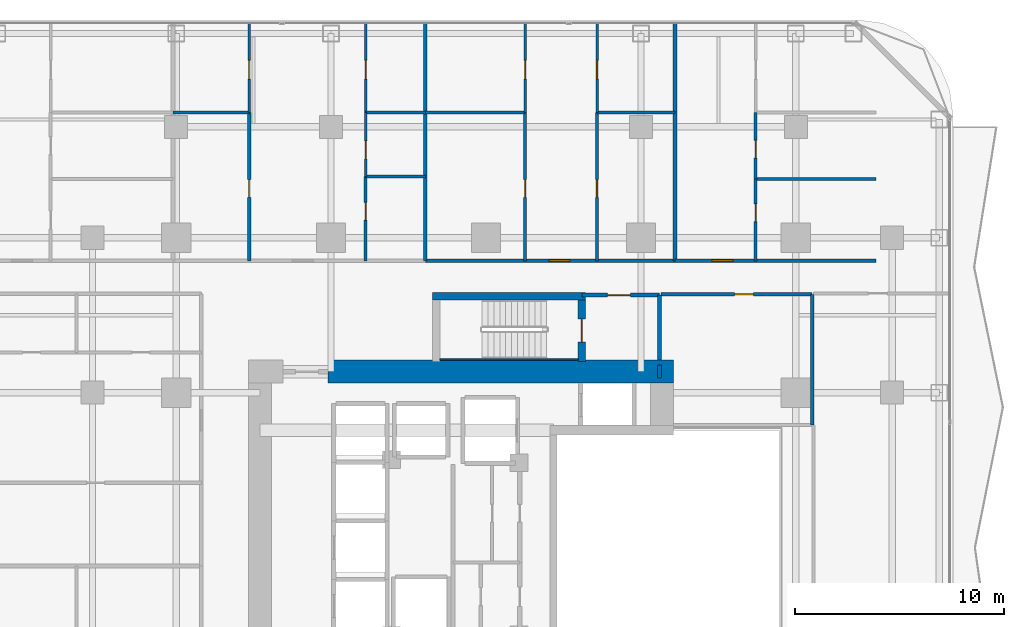
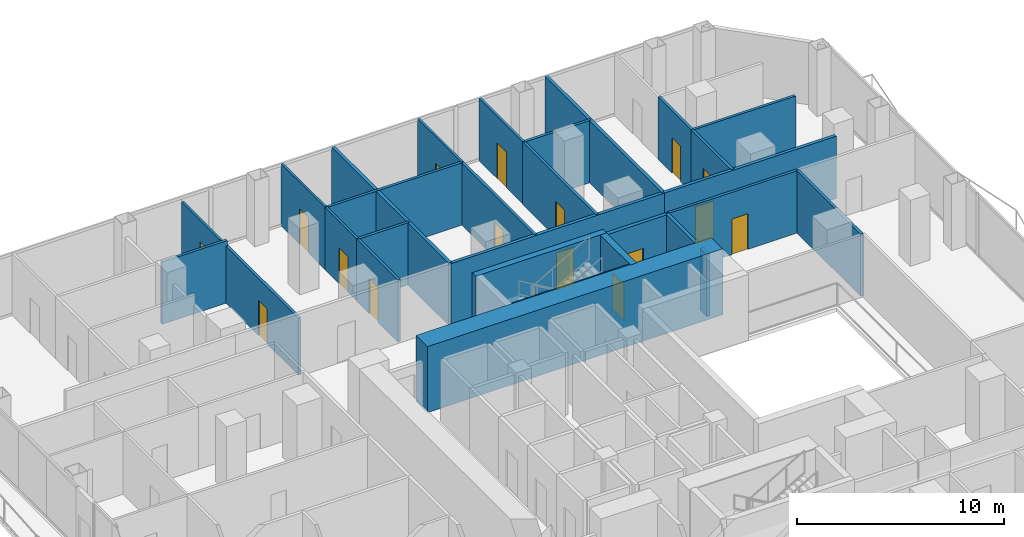
# One storey, part 23 of 29: 30 walls, 16 doors, 16 openings.
"""IFC4 building model written with IfcOpenShell, lengths in metres."""

from ifc_helpers import new_model, si_unit, direction, frame, frame_2d, origin, place, context, subcontext, project, spatial, rectangle, extrude, material, layer, layer_set, type_object, element, fill, save


model = new_model("IFC4")

# Units and contexts
model_context = context("Model", 3, precision=1e-05, world=origin(), true_north=direction((0.0, 1.0)))
body_context = subcontext(model_context, "Body", "Model", "MODEL_VIEW")
ifc_project = project(units=[si_unit("LENGTHUNIT", "METRE"), si_unit("AREAUNIT", "SQUARE_METRE"), si_unit("VOLUMEUNIT", "CUBIC_METRE"), si_unit("PLANEANGLEUNIT", "RADIAN"), si_unit("MASSUNIT", "GRAM", prefix="KILO")], contexts=[model_context])

# Site, building, storey
site_placement = place(None, origin())
site = spatial("IfcSite", under=ifc_project, at=site_placement, CompositionType="ELEMENT")
building_placement = place(site_placement, origin())
building = spatial("IfcBuilding", under=site, at=building_placement, Name="Khorvyn Point Tower", CompositionType="ELEMENT")
storey_placement = place(building_placement, frame((0.0, 0.0, 69.60009765625)))
storey = spatial("IfcBuildingStorey", under=building, at=storey_placement, Name="L18", CompositionType="ELEMENT", Elevation=69.60009765625)

# Wall, opening, door
ifc_material_1 = material(Name="Double acoustic gypsum on twin steel stud", Category="steel")
ifc_layer_1 = layer(ifc_material_1, 0.179931640625)
ifc_layer_set_1 = layer_set([ifc_layer_1], Name="Acoustic Double-Stud Apartment Demising Wall 180")
wall_type_1 = type_object("IfcWallType", Name="Acoustic Double-Stud Apartment Demising Wall 180", PredefinedType="PARTITIONING", material=ifc_layer_set_1)
wall_1_placement = place(storey_placement, frame((-2.89990234375, 13.699951171875, 0.0), z_axis=(0.0, 0.0, 1.0), x_axis=(1.0, 0.0, 0.0)))
wall_1 = element("IfcWall", 1, at=wall_1_placement, inside=storey, type_object=wall_type_1, Name="Wall", PredefinedType="PARTITIONING", context=body_context, shape_type="SweptSolid", body=[
    extrude(rectangle(XDim=11.921875, YDim=0.179931640625, at=frame_2d((5.9609375, 0.0))), origin(), (0.0, 0.0, 1.0), 3.679931640625),
])
opening_1_placement = place(wall_1_placement, frame((5.91015625, 0.0, 0.0)))
opening_1 = element("IfcOpeningElement", 2, at=opening_1_placement, cuts=wall_1, Name="Opening ID-AP60", PredefinedType="OPENING", context=body_context, shape_type="SweptSolid", body=[
    extrude(rectangle(XDim=1.0, YDim=2.199951171875, at=frame_2d((0.5, 1.10009765625))), frame((0.0, 0.099853515625, 0.0), z_axis=(0.0, -1.0, 0.0), x_axis=(1.0, 0.0, 0.0)), (0.0, 0.0, 1.0), 0.199951171875),
])
ifc_material_2 = material(Name="Engineered hardwood fire-rated leaf", Category="wood")
door_type_1 = type_object("IfcDoorType", Name="Acoustic Solid-Core Timber Apartment Entrance Door 1000x2200", OperationType="NOTDEFINED", PredefinedType="DOOR", material=ifc_material_2)
door_1_placement = place(opening_1_placement, origin())
door_1 = element("IfcDoor", 3, at=door_1_placement, inside=storey, type_object=door_type_1, Name="Door", OperationType="SINGLE_SWING_RIGHT", OverallHeight=2.199951171875, OverallWidth=1.0, PredefinedType="DOOR", context=body_context, shape_type="SweptSolid", body=[
    extrude(rectangle(XDim=1.0, YDim=2.199951171875, at=frame_2d((0.5, 1.10009765625))), frame((0.0, 0.02490234375, 0.0), z_axis=(0.0, -1.0, 0.0), x_axis=(1.0, 0.0, 0.0)), (0.0, 0.0, 1.0), 0.050048828125),
])
fill(opening_1, door_1)

wall_2_placement = place(storey_placement, frame((9.02197265625, 13.699951171875, 0.0), z_axis=(0.0, 0.0, 1.0), x_axis=(1.0, 0.0, 0.0)))
wall_2 = element("IfcWall", 4, at=wall_2_placement, inside=storey, type_object=wall_type_1, Name="Wall", PredefinedType="PARTITIONING", context=body_context, shape_type="SweptSolid", body=[
    extrude(rectangle(XDim=9.59814453125, YDim=0.179931640625, at=frame_2d((4.799072265625, 0.0))), origin(), (0.0, 0.0, 1.0), 3.679931640625),
])
opening_2_placement = place(wall_2_placement, frame((1.779541015625, 0.0, 0.0)))
opening_2 = element("IfcOpeningElement", 5, at=opening_2_placement, cuts=wall_2, Name="Opening ID-AP60", PredefinedType="OPENING", context=body_context, shape_type="SweptSolid", body=[
    extrude(rectangle(XDim=1.0, YDim=2.199951171875, at=frame_2d((0.5, 1.10009765625))), frame((0.0, 0.099853515625, 0.0), z_axis=(0.0, -1.0, 0.0), x_axis=(1.0, 0.0, 0.0)), (0.0, 0.0, 1.0), 0.199951171875),
])
door_2_placement = place(opening_2_placement, origin())
door_2 = element("IfcDoor", 6, at=door_2_placement, inside=storey, type_object=door_type_1, Name="Door", OperationType="SINGLE_SWING_LEFT", OverallHeight=2.199951171875, OverallWidth=1.0, PredefinedType="DOOR", context=body_context, shape_type="SweptSolid", body=[
    extrude(rectangle(XDim=1.0, YDim=2.199951171875, at=frame_2d((0.5, 1.10009765625))), frame((0.0, 0.02490234375, 0.0), z_axis=(0.0, -1.0, 0.0), x_axis=(1.0, 0.0, 0.0)), (0.0, 0.0, 1.0), 0.050048828125),
])
fill(opening_2, door_2)

# Walls
for number, where, z_axis, x_axis, name in (
    (7, (-2.89990234375, 13.699951171875, 0.0), (0.0, 0.0, 1.0), (0.0, 1.0, 0.0), "Wall"),
    (8, (9.02197265625, 13.699951171875, 0.0), (0.0, 0.0, 1.0), (0.0, 1.0, 0.0), "Wall"),
):
    element("IfcWall", number, at=place(storey_placement, frame(where, z_axis=z_axis, x_axis=x_axis)), inside=storey, type_object=wall_type_1, Name=name, PredefinedType="PARTITIONING", context=body_context, shape_type="SweptSolid", body=[
        extrude(rectangle(XDim=11.330078125, YDim=0.179931640625, at=frame_2d((5.6650390625, 0.0))), origin(), (0.0, 0.0, 1.0), 3.679931640625),
    ])

# Wall, opening, door
ifc_material_3 = material(Name="Concrete C40/50", Category="concrete")
ifc_layer_2 = layer(ifc_material_3, 0.199951171875)
ifc_layer_set_2 = layer_set([ifc_layer_2], Name="Concrete C40/50 Fire-Lobby Compartment Wall 200")
wall_type_2 = type_object("IfcWallType", Name="Concrete C40/50 Fire-Lobby Compartment Wall 200", PredefinedType="SOLIDWALL", material=ifc_layer_set_2)
wall_3_placement = place(storey_placement, frame((4.580078125, 12.06005859375, 0.0), z_axis=(0.0, 0.0, 1.0), x_axis=(1.0, 0.0, 0.0)))
wall_3 = element("IfcWall", 9, at=wall_3_placement, inside=storey, type_object=wall_type_2, Name="Wall", PredefinedType="SOLIDWALL", context=body_context, shape_type="SweptSolid", body=[
    extrude(rectangle(XDim=3.699951171875, YDim=0.199951171875, at=frame_2d((1.85009765625, 0.0))), origin(), (0.0, 0.0, 1.0), 3.679931640625),
])
opening_3_placement = place(wall_3_placement, frame((1.21240234375, 0.0, 0.0)))
opening_3 = element("IfcOpeningElement", 10, at=opening_3_placement, cuts=wall_3, Name="Opening ID-FL90", PredefinedType="OPENING", context=body_context, shape_type="SweptSolid", body=[
    extrude(rectangle(XDim=1.10009765625, YDim=2.14990234375, at=frame_2d((0.550048828125, 1.074951171875))), frame((0.0, 0.10986328125, 0.0), z_axis=(0.0, -1.0, 0.0), x_axis=(1.0, 0.0, 0.0)), (0.0, 0.0, 1.0), 0.219970703125),
])
ifc_material_4 = material(Name="Galvanised powder-coated steel", Category="steel")
door_type_2 = type_object("IfcDoorType", Name="Fire-Rated Steel Lobby and Stair Door 1100x2150", OperationType="NOTDEFINED", PredefinedType="DOOR", material=ifc_material_4)
door_3_placement = place(opening_3_placement, origin())
door_3 = element("IfcDoor", 11, at=door_3_placement, inside=storey, type_object=door_type_2, Name="Door", OperationType="SINGLE_SWING_LEFT", OverallHeight=2.14990234375, OverallWidth=1.10009765625, PredefinedType="DOOR", context=body_context, shape_type="SweptSolid", body=[
    extrude(rectangle(XDim=1.10009765625, YDim=2.14990234375, at=frame_2d((0.550048828125, 1.074951171875))), frame((0.0, 0.02490234375, 0.0), z_axis=(0.0, -1.0, 0.0), x_axis=(1.0, 0.0, 0.0)), (0.0, 0.0, 1.0), 0.050048828125),
])
fill(opening_3, door_3)

# Walls
wall_4_placement = place(storey_placement, frame((8.280029296875, 8.949951171875, 0.0), z_axis=(0.0, 0.0, 1.0), x_axis=(0.0, 1.0, 0.0)))
element("IfcWall", 12, at=wall_4_placement, inside=storey, type_object=wall_type_2, Name="Wall", PredefinedType="SOLIDWALL", context=body_context, shape_type="SweptSolid", body=[
    extrude(rectangle(XDim=3.110107421875, YDim=0.199951171875, at=frame_2d((1.55517578125, 0.0))), origin(), (0.0, 0.0, 1.0), 3.679931640625),
])
wall_5_placement = place(storey_placement, frame((8.280029296875, 8.10009765625, 0.0), z_axis=(0.0, 0.0, 1.0), x_axis=(0.0, 1.0, 0.0)))
element("IfcWall", 13, at=wall_5_placement, inside=storey, type_object=wall_type_2, Name="Wall", PredefinedType="SOLIDWALL", context=body_context, shape_type="SweptSolid", body=[
    extrude(rectangle(XDim=0.625, YDim=0.199951171875, at=frame_2d((0.3125, 0.0))), origin(), (0.0, 0.0, 1.0), 3.679931640625),
])
ifc_layer_3 = layer(ifc_material_3, 0.25)
ifc_layer_set_3 = layer_set([ifc_layer_3], Name="Concrete C40/50 Stair Inner Cheek Structural Wall 250")
wall_type_3 = type_object("IfcWallType", Name="Concrete C40/50 Stair Inner Cheek Structural Wall 250", PredefinedType="SHEAR", material=ifc_layer_set_3)
wall_6_placement = place(storey_placement, frame((-2.199951171875, 8.987548828125, 0.0), z_axis=(0.0, 0.0, 1.0), x_axis=(1.0, 0.0, 0.0)))
element("IfcWall", 14, at=wall_6_placement, inside=storey, type_object=wall_type_3, Name="Wall", PredefinedType="SHEAR", context=body_context, shape_type="SweptSolid", body=[
    extrude(rectangle(XDim=6.599853515625, YDim=0.074951171875, at=frame_2d((3.2998046875, 0.0))), origin(), (0.0, 0.0, 1.0), 3.89990234375),
])
ifc_layer_4 = layer(ifc_material_3, 0.35009765625)
ifc_layer_set_4 = layer_set([ifc_layer_4], Name="Concrete C40/50 Stair Shaft Structural Wall 350")
wall_type_4 = type_object("IfcWallType", Name="Concrete C40/50 Stair Shaft Structural Wall 350", PredefinedType="SHEAR", material=ifc_layer_set_4)
wall_7_placement = place(storey_placement, frame((-2.554931640625, 12.0, 0.0), z_axis=(0.0, 0.0, 1.0), x_axis=(1.0, 0.0, 0.0)))
element("IfcWall", 15, at=wall_7_placement, inside=storey, type_object=wall_type_4, Name="L18 ST-02 North Shaft Wall", PredefinedType="SHEAR", context=body_context, shape_type="SweptSolid", body=[
    extrude(rectangle(XDim=7.309814453125, YDim=0.35009765625, at=frame_2d((3.65478515625, 0.0))), origin(), (0.0, 0.0, 1.0), 3.89990234375),
])

# Wall, opening, door
wall_8_placement = place(storey_placement, frame((4.580078125, 11.824951171875, 0.0), z_axis=(0.0, 0.0, 1.0), x_axis=(0.0, -1.0, 0.0)))
wall_8 = element("IfcWall", 16, at=wall_8_placement, inside=storey, type_object=wall_type_4, Name="L18 ST-02 East Landing Door Wall", PredefinedType="SHEAR", context=body_context, shape_type="SweptSolid", body=[
    extrude(rectangle(XDim=2.925048828125, YDim=0.35009765625, at=frame_2d((1.46240234375, 0.0))), origin(), (0.0, 0.0, 1.0), 3.89990234375),
])
opening_4_placement = place(wall_8_placement, frame((0.91259765625, 0.0, 0.0)))
opening_4 = element("IfcOpeningElement", 17, at=opening_4_placement, cuts=wall_8, Name="Opening ID-FL90", PredefinedType="OPENING", context=body_context, shape_type="SweptSolid", body=[
    extrude(rectangle(XDim=1.10009765625, YDim=2.14990234375, at=frame_2d((0.550048828125, 1.074951171875))), frame((0.0, 0.18505859375, 0.0), z_axis=(0.0, -1.0, 0.0), x_axis=(1.0, 0.0, 0.0)), (0.0, 0.0, 1.0), 0.3701171875),
])
door_4_placement = place(opening_4_placement, origin())
door_4 = element("IfcDoor", 18, at=door_4_placement, inside=storey, type_object=door_type_2, Name="L18 ST-02 Smokeproof Landing Door", OperationType="SINGLE_SWING_LEFT", OverallHeight=2.14990234375, OverallWidth=1.10009765625, PredefinedType="DOOR", context=body_context, shape_type="SweptSolid", body=[
    extrude(rectangle(XDim=1.10009765625, YDim=2.14990234375, at=frame_2d((0.550048828125, 1.074951171875))), frame((0.0, 0.02490234375, 0.0), z_axis=(0.0, -1.0, 0.0), x_axis=(1.0, 0.0, 0.0)), (0.0, 0.0, 1.0), 0.050048828125),
])
fill(opening_4, door_4)

# Wall
ifc_material_5 = material(Name="Concrete C50/60", Category="concrete")
ifc_layer_5 = layer(ifc_material_5, 1.10009765625)
ifc_layer_set_5 = layer_set([ifc_layer_5], Name="Concrete C50/60 Core Shear Wall 1100")
wall_type_5 = type_object("IfcWallType", Name="Concrete C50/60 Core Shear Wall 1100", PredefinedType="SHEAR", material=ifc_layer_set_5)
wall_9_placement = place(storey_placement, frame((-7.550048828125, 8.39990234375, 0.0), z_axis=(0.0, 0.0, 1.0), x_axis=(1.0, 0.0, 0.0)))
element("IfcWall", 19, at=wall_9_placement, inside=storey, type_object=wall_type_5, Name="Wall", PredefinedType="SHEAR", context=body_context, shape_type="SweptSolid", body=[
    extrude(rectangle(XDim=16.5, YDim=1.10009765625, at=frame_2d((8.25, 0.0))), origin(), (0.0, 0.0, 1.0), 3.89990234375),
])

# Wall, opening, door
ifc_material_6 = material(Name="Gypsum plasterboard on steel stud", Category="steel")
ifc_layer_6 = layer(ifc_material_6, 0.1201171875)
ifc_layer_set_6 = layer_set([ifc_layer_6], Name="Gypsum Acoustic Stud Room Partition Wall 120")
wall_type_6 = type_object("IfcWallType", Name="Gypsum Acoustic Stud Room Partition Wall 120", PredefinedType="PARTITIONING", material=ifc_layer_set_6)
wall_10_placement = place(storey_placement, frame((-11.30810546875, 20.7900390625, 0.0), z_axis=(0.0, 0.0, 1.0), x_axis=(0.0, 1.0, 0.0)))
wall_10 = element("IfcWall", 20, at=wall_10_placement, inside=storey, type_object=wall_type_6, Name="Wall", PredefinedType="PARTITIONING", context=body_context, shape_type="SweptSolid", body=[
    extrude(rectangle(XDim=4.239990234375, YDim=0.1201171875, at=frame_2d((2.1201171875, 0.0))), origin(), (0.0, 0.0, 1.0), 3.369873046875),
])
opening_5_placement = place(wall_10_placement, frame((1.581298828125, 0.0, 0.0)))
opening_5 = element("IfcOpeningElement", 21, at=opening_5_placement, cuts=wall_10, Name="Opening ID-RM90", PredefinedType="OPENING", context=body_context, shape_type="SweptSolid", body=[
    extrude(rectangle(XDim=0.89990234375, YDim=2.10009765625, at=frame_2d((0.449951171875, 1.050048828125))), frame((0.0, 0.070068359375, 0.0), z_axis=(0.0, -1.0, 0.0), x_axis=(1.0, 0.0, 0.0)), (0.0, 0.0, 1.0), 0.14013671875),
])
ifc_material_7 = material(Name="Engineered oak veneer timber", Category="wood")
door_type_3 = type_object("IfcDoorType", Name="Flush Engineered Timber Room Door 900x2100", OperationType="NOTDEFINED", PredefinedType="DOOR", material=ifc_material_7)
door_5_placement = place(opening_5_placement, origin())
door_5 = element("IfcDoor", 22, at=door_5_placement, inside=storey, type_object=door_type_3, Name="Door", OperationType="SINGLE_SWING_RIGHT", OverallHeight=2.10009765625, OverallWidth=0.89990234375, PredefinedType="DOOR", context=body_context, shape_type="SweptSolid", body=[
    extrude(rectangle(XDim=0.89990234375, YDim=2.10009765625, at=frame_2d((0.449951171875, 1.050048828125))), frame((0.0, 0.02490234375, 0.0), z_axis=(0.0, -1.0, 0.0), x_axis=(1.0, 0.0, 0.0)), (0.0, 0.0, 1.0), 0.050048828125),
])
fill(opening_5, door_5)

wall_11_placement = place(storey_placement, frame((-5.75, 17.719970703125, 0.0), z_axis=(0.0, 0.0, 1.0), x_axis=(0.0, 1.0, 0.0)))
wall_11 = element("IfcWall", 23, at=wall_11_placement, inside=storey, type_object=wall_type_6, Name="Wall", PredefinedType="PARTITIONING", context=body_context, shape_type="SweptSolid", body=[
    extrude(rectangle(XDim=3.070068359375, YDim=0.1201171875, at=frame_2d((1.53515625, 0.0))), origin(), (0.0, 0.0, 1.0), 3.679931640625),
])
opening_6_placement = place(wall_11_placement, frame((0.850830078125, 0.0, 0.0)))
opening_6 = element("IfcOpeningElement", 24, at=opening_6_placement, cuts=wall_11, Name="Opening ID-WC85", PredefinedType="OPENING", context=body_context, shape_type="SweptSolid", body=[
    extrude(rectangle(XDim=0.85009765625, YDim=2.10009765625, at=frame_2d((0.425048828125, 1.050048828125))), frame((0.0, 0.070068359375, 0.0), z_axis=(0.0, -1.0, 0.0), x_axis=(1.0, 0.0, 0.0)), (0.0, 0.0, 1.0), 0.14013671875),
])
ifc_material_8 = material(Name="High-pressure laminate on moisture-resistant core", Category="wood")
door_type_4 = type_object("IfcDoorType", Name="Moisture-Resistant Accessible Washroom Door 850x2100", OperationType="NOTDEFINED", PredefinedType="DOOR", material=ifc_material_8)
door_6_placement = place(opening_6_placement, origin())
door_6 = element("IfcDoor", 25, at=door_6_placement, inside=storey, type_object=door_type_4, Name="Door", OperationType="SINGLE_SWING_RIGHT", OverallHeight=2.10009765625, OverallWidth=0.85009765625, PredefinedType="DOOR", context=body_context, shape_type="SweptSolid", body=[
    extrude(rectangle(XDim=0.85009765625, YDim=2.10009765625, at=frame_2d((0.425048828125, 1.050048828125))), frame((0.0, 0.02490234375, 0.0), z_axis=(0.0, -1.0, 0.0), x_axis=(1.0, 0.0, 0.0)), (0.0, 0.0, 1.0), 0.050048828125),
])
fill(opening_6, door_6)

wall_12_placement = place(storey_placement, frame((-5.75, 20.7900390625, 0.0), z_axis=(0.0, 0.0, 1.0), x_axis=(0.0, 1.0, 0.0)))
wall_12 = element("IfcWall", 26, at=wall_12_placement, inside=storey, type_object=wall_type_6, Name="Wall", PredefinedType="PARTITIONING", context=body_context, shape_type="SweptSolid", body=[
    extrude(rectangle(XDim=4.239990234375, YDim=0.1201171875, at=frame_2d((2.1201171875, 0.0))), origin(), (0.0, 0.0, 1.0), 3.679931640625),
])
opening_7_placement = place(wall_12_placement, frame((1.581298828125, 0.0, 0.0)))
opening_7 = element("IfcOpeningElement", 27, at=opening_7_placement, cuts=wall_12, Name="Opening ID-RM90", PredefinedType="OPENING", context=body_context, shape_type="SweptSolid", body=[
    extrude(rectangle(XDim=0.89990234375, YDim=2.10009765625, at=frame_2d((0.449951171875, 1.050048828125))), frame((0.0, 0.070068359375, 0.0), z_axis=(0.0, -1.0, 0.0), x_axis=(1.0, 0.0, 0.0)), (0.0, 0.0, 1.0), 0.14013671875),
])
door_7_placement = place(opening_7_placement, origin())
door_7 = element("IfcDoor", 28, at=door_7_placement, inside=storey, type_object=door_type_3, Name="Door", OperationType="SINGLE_SWING_LEFT", OverallHeight=2.10009765625, OverallWidth=0.89990234375, PredefinedType="DOOR", context=body_context, shape_type="SweptSolid", body=[
    extrude(rectangle(XDim=0.89990234375, YDim=2.10009765625, at=frame_2d((0.449951171875, 1.050048828125))), frame((0.0, 0.02490234375, 0.0), z_axis=(0.0, -1.0, 0.0), x_axis=(1.0, 0.0, 0.0)), (0.0, 0.0, 1.0), 0.050048828125),
])
fill(opening_7, door_7)

wall_13_placement = place(storey_placement, frame((1.868896484375, 20.7900390625, 0.0), z_axis=(0.0, 0.0, 1.0), x_axis=(0.0, 1.0, 0.0)))
wall_13 = element("IfcWall", 29, at=wall_13_placement, inside=storey, type_object=wall_type_6, Name="Wall", PredefinedType="PARTITIONING", context=body_context, shape_type="SweptSolid", body=[
    extrude(rectangle(XDim=4.239990234375, YDim=0.1201171875, at=frame_2d((2.1201171875, 0.0))), origin(), (0.0, 0.0, 1.0), 3.679931640625),
])
opening_8_placement = place(wall_13_placement, frame((1.581298828125, 0.0, 0.0)))
opening_8 = element("IfcOpeningElement", 30, at=opening_8_placement, cuts=wall_13, Name="Opening ID-RM90", PredefinedType="OPENING", context=body_context, shape_type="SweptSolid", body=[
    extrude(rectangle(XDim=0.89990234375, YDim=2.10009765625, at=frame_2d((0.449951171875, 1.050048828125))), frame((0.0, 0.070068359375, 0.0), z_axis=(0.0, -1.0, 0.0), x_axis=(1.0, 0.0, 0.0)), (0.0, 0.0, 1.0), 0.14013671875),
])
door_8_placement = place(opening_8_placement, origin())
door_8 = element("IfcDoor", 31, at=door_8_placement, inside=storey, type_object=door_type_3, Name="Door", OperationType="SINGLE_SWING_RIGHT", OverallHeight=2.10009765625, OverallWidth=0.89990234375, PredefinedType="DOOR", context=body_context, shape_type="SweptSolid", body=[
    extrude(rectangle(XDim=0.89990234375, YDim=2.10009765625, at=frame_2d((0.449951171875, 1.050048828125))), frame((0.0, 0.02490234375, 0.0), z_axis=(0.0, -1.0, 0.0), x_axis=(1.0, 0.0, 0.0)), (0.0, 0.0, 1.0), 0.050048828125),
])
fill(opening_8, door_8)

wall_14_placement = place(storey_placement, frame((5.302001953125, 20.7900390625, 0.0), z_axis=(0.0, 0.0, 1.0), x_axis=(0.0, 1.0, 0.0)))
wall_14 = element("IfcWall", 32, at=wall_14_placement, inside=storey, type_object=wall_type_6, Name="Wall", PredefinedType="PARTITIONING", context=body_context, shape_type="SweptSolid", body=[
    extrude(rectangle(XDim=4.239990234375, YDim=0.1201171875, at=frame_2d((2.1201171875, 0.0))), origin(), (0.0, 0.0, 1.0), 3.679931640625),
])
opening_9_placement = place(wall_14_placement, frame((1.581298828125, 0.0, 0.0)))
opening_9 = element("IfcOpeningElement", 33, at=opening_9_placement, cuts=wall_14, Name="Opening ID-RM90", PredefinedType="OPENING", context=body_context, shape_type="SweptSolid", body=[
    extrude(rectangle(XDim=0.89990234375, YDim=2.10009765625, at=frame_2d((0.449951171875, 1.050048828125))), frame((0.0, 0.070068359375, 0.0), z_axis=(0.0, -1.0, 0.0), x_axis=(1.0, 0.0, 0.0)), (0.0, 0.0, 1.0), 0.14013671875),
])
door_9_placement = place(opening_9_placement, origin())
door_9 = element("IfcDoor", 34, at=door_9_placement, inside=storey, type_object=door_type_3, Name="Door", OperationType="SINGLE_SWING_RIGHT", OverallHeight=2.10009765625, OverallWidth=0.89990234375, PredefinedType="DOOR", context=body_context, shape_type="SweptSolid", body=[
    extrude(rectangle(XDim=0.89990234375, YDim=2.10009765625, at=frame_2d((0.449951171875, 1.050048828125))), frame((0.0, 0.02490234375, 0.0), z_axis=(0.0, -1.0, 0.0), x_axis=(1.0, 0.0, 0.0)), (0.0, 0.0, 1.0), 0.050048828125),
])
fill(opening_9, door_9)

ifc_material_9 = material(Name="Moisture-resistant gypsum and cement board", Category="gypsum")
ifc_layer_7 = layer(ifc_material_9, 0.14990234375)
ifc_layer_set_7 = layer_set([ifc_layer_7], Name="Moisture-Resistant Wet-Room Partition Wall 150")
wall_type_7 = type_object("IfcWallType", Name="Moisture-Resistant Wet-Room Partition Wall 150", PredefinedType="PARTITIONING", material=ifc_layer_set_7)
wall_15_placement = place(storey_placement, frame((8.360107421875, 12.10009765625, 0.0), z_axis=(0.0, 0.0, 1.0), x_axis=(1.0, 0.0, 0.0)))
wall_15 = element("IfcWall", 35, at=wall_15_placement, inside=storey, type_object=wall_type_7, Name="Wall", PredefinedType="PARTITIONING", context=body_context, shape_type="SweptSolid", body=[
    extrude(rectangle(XDim=7.219970703125, YDim=0.14990234375, at=frame_2d((3.60986328125, 0.0))), origin(), (0.0, 0.0, 1.0), 3.679931640625),
])
opening_10_placement = place(wall_15_placement, frame((3.512939453125, 0.0, 0.0)))
opening_10 = element("IfcOpeningElement", 36, at=opening_10_placement, cuts=wall_15, Name="Opening ID-RM90", PredefinedType="OPENING", context=body_context, shape_type="SweptSolid", body=[
    extrude(rectangle(XDim=0.89990234375, YDim=2.10009765625, at=frame_2d((0.449951171875, 1.050048828125))), frame((0.0, 0.0849609375, 0.0), z_axis=(0.0, -1.0, 0.0), x_axis=(1.0, 0.0, 0.0)), (0.0, 0.0, 1.0), 0.169921875),
])
door_10_placement = place(opening_10_placement, origin())
door_10 = element("IfcDoor", 37, at=door_10_placement, inside=storey, type_object=door_type_3, Name="Door", OperationType="SINGLE_SWING_LEFT", OverallHeight=2.10009765625, OverallWidth=0.89990234375, PredefinedType="DOOR", context=body_context, shape_type="SweptSolid", body=[
    extrude(rectangle(XDim=0.89990234375, YDim=2.10009765625, at=frame_2d((0.449951171875, 1.050048828125))), frame((0.0, 0.02490234375, 0.0), z_axis=(0.0, -1.0, 0.0), x_axis=(1.0, 0.0, 0.0)), (0.0, 0.0, 1.0), 0.050048828125),
])
fill(opening_10, door_10)

wall_16_placement = place(storey_placement, frame((-11.30810546875, 13.699951171875, 0.0), z_axis=(0.0, 0.0, 1.0), x_axis=(0.0, 1.0, 0.0)))
wall_16 = element("IfcWall", 38, at=wall_16_placement, inside=storey, type_object=wall_type_7, Name="Wall", PredefinedType="PARTITIONING", context=body_context, shape_type="SweptSolid", body=[
    extrude(rectangle(XDim=7.090087890625, YDim=0.14990234375, at=frame_2d((3.544921875, 0.0))), origin(), (0.0, 0.0, 1.0), 3.369873046875),
])
opening_11_placement = place(wall_16_placement, frame((3.0302734375, 0.0, 0.0)))
opening_11 = element("IfcOpeningElement", 39, at=opening_11_placement, cuts=wall_16, Name="Opening ID-WC85", PredefinedType="OPENING", context=body_context, shape_type="SweptSolid", body=[
    extrude(rectangle(XDim=0.85009765625, YDim=2.10009765625, at=frame_2d((0.425048828125, 1.050048828125))), frame((0.0, 0.0849609375, 0.0), z_axis=(0.0, -1.0, 0.0), x_axis=(1.0, 0.0, 0.0)), (0.0, 0.0, 1.0), 0.169921875),
])
door_11_placement = place(opening_11_placement, origin())
door_11 = element("IfcDoor", 40, at=door_11_placement, inside=storey, type_object=door_type_4, Name="Door", OperationType="SINGLE_SWING_LEFT", OverallHeight=2.10009765625, OverallWidth=0.85009765625, PredefinedType="DOOR", context=body_context, shape_type="SweptSolid", body=[
    extrude(rectangle(XDim=0.85009765625, YDim=2.10009765625, at=frame_2d((0.425048828125, 1.050048828125))), frame((0.0, 0.02490234375, 0.0), z_axis=(0.0, -1.0, 0.0), x_axis=(1.0, 0.0, 0.0)), (0.0, 0.0, 1.0), 0.050048828125),
])
fill(opening_11, door_11)

wall_17_placement = place(storey_placement, frame((-5.75, 13.699951171875, 0.0), z_axis=(0.0, 0.0, 1.0), x_axis=(0.0, 1.0, 0.0)))
wall_17 = element("IfcWall", 41, at=wall_17_placement, inside=storey, type_object=wall_type_7, Name="Wall", PredefinedType="PARTITIONING", context=body_context, shape_type="SweptSolid", body=[
    extrude(rectangle(XDim=4.02001953125, YDim=0.14990234375, at=frame_2d((2.010009765625, 0.0))), origin(), (0.0, 0.0, 1.0), 3.679931640625),
])
opening_12_placement = place(wall_17_placement, frame((1.941162109375, 0.0, 0.0)))
opening_12 = element("IfcOpeningElement", 42, at=opening_12_placement, cuts=wall_17, Name="Opening ID-WC85", PredefinedType="OPENING", context=body_context, shape_type="SweptSolid", body=[
    extrude(rectangle(XDim=0.85009765625, YDim=2.10009765625, at=frame_2d((0.425048828125, 1.050048828125))), frame((0.0, 0.0849609375, 0.0), z_axis=(0.0, -1.0, 0.0), x_axis=(1.0, 0.0, 0.0)), (0.0, 0.0, 1.0), 0.169921875),
])
door_12_placement = place(opening_12_placement, origin())
door_12 = element("IfcDoor", 43, at=door_12_placement, inside=storey, type_object=door_type_4, Name="Door", OperationType="SINGLE_SWING_LEFT", OverallHeight=2.10009765625, OverallWidth=0.85009765625, PredefinedType="DOOR", context=body_context, shape_type="SweptSolid", body=[
    extrude(rectangle(XDim=0.85009765625, YDim=2.10009765625, at=frame_2d((0.425048828125, 1.050048828125))), frame((0.0, 0.02490234375, 0.0), z_axis=(0.0, -1.0, 0.0), x_axis=(1.0, 0.0, 0.0)), (0.0, 0.0, 1.0), 0.050048828125),
])
fill(opening_12, door_12)

wall_18_placement = place(storey_placement, frame((1.868896484375, 13.699951171875, 0.0), z_axis=(0.0, 0.0, 1.0), x_axis=(0.0, 1.0, 0.0)))
wall_18 = element("IfcWall", 44, at=wall_18_placement, inside=storey, type_object=wall_type_7, Name="Wall", PredefinedType="PARTITIONING", context=body_context, shape_type="SweptSolid", body=[
    extrude(rectangle(XDim=7.090087890625, YDim=0.14990234375, at=frame_2d((3.544921875, 0.0))), origin(), (0.0, 0.0, 1.0), 3.679931640625),
])
opening_13_placement = place(wall_18_placement, frame((3.0302734375, 0.0, 0.0)))
opening_13 = element("IfcOpeningElement", 45, at=opening_13_placement, cuts=wall_18, Name="Opening ID-WC85", PredefinedType="OPENING", context=body_context, shape_type="SweptSolid", body=[
    extrude(rectangle(XDim=0.85009765625, YDim=2.10009765625, at=frame_2d((0.425048828125, 1.050048828125))), frame((0.0, 0.0849609375, 0.0), z_axis=(0.0, -1.0, 0.0), x_axis=(1.0, 0.0, 0.0)), (0.0, 0.0, 1.0), 0.169921875),
])
door_13_placement = place(opening_13_placement, origin())
door_13 = element("IfcDoor", 46, at=door_13_placement, inside=storey, type_object=door_type_4, Name="Door", OperationType="SINGLE_SWING_LEFT", OverallHeight=2.10009765625, OverallWidth=0.85009765625, PredefinedType="DOOR", context=body_context, shape_type="SweptSolid", body=[
    extrude(rectangle(XDim=0.85009765625, YDim=2.10009765625, at=frame_2d((0.425048828125, 1.050048828125))), frame((0.0, 0.02490234375, 0.0), z_axis=(0.0, -1.0, 0.0), x_axis=(1.0, 0.0, 0.0)), (0.0, 0.0, 1.0), 0.050048828125),
])
fill(opening_13, door_13)

wall_19_placement = place(storey_placement, frame((5.302001953125, 13.699951171875, 0.0), z_axis=(0.0, 0.0, 1.0), x_axis=(0.0, 1.0, 0.0)))
wall_19 = element("IfcWall", 47, at=wall_19_placement, inside=storey, type_object=wall_type_7, Name="Wall", PredefinedType="PARTITIONING", context=body_context, shape_type="SweptSolid", body=[
    extrude(rectangle(XDim=7.090087890625, YDim=0.14990234375, at=frame_2d((3.544921875, 0.0))), origin(), (0.0, 0.0, 1.0), 3.679931640625),
])
opening_14_placement = place(wall_19_placement, frame((3.0302734375, 0.0, 0.0)))
opening_14 = element("IfcOpeningElement", 48, at=opening_14_placement, cuts=wall_19, Name="Opening ID-WC85", PredefinedType="OPENING", context=body_context, shape_type="SweptSolid", body=[
    extrude(rectangle(XDim=0.85009765625, YDim=2.10009765625, at=frame_2d((0.425048828125, 1.050048828125))), frame((0.0, 0.0849609375, 0.0), z_axis=(0.0, -1.0, 0.0), x_axis=(1.0, 0.0, 0.0)), (0.0, 0.0, 1.0), 0.169921875),
])
door_14_placement = place(opening_14_placement, origin())
door_14 = element("IfcDoor", 49, at=door_14_placement, inside=storey, type_object=door_type_4, Name="Door", OperationType="SINGLE_SWING_LEFT", OverallHeight=2.10009765625, OverallWidth=0.85009765625, PredefinedType="DOOR", context=body_context, shape_type="SweptSolid", body=[
    extrude(rectangle(XDim=0.85009765625, YDim=2.10009765625, at=frame_2d((0.425048828125, 1.050048828125))), frame((0.0, 0.02490234375, 0.0), z_axis=(0.0, -1.0, 0.0), x_axis=(1.0, 0.0, 0.0)), (0.0, 0.0, 1.0), 0.050048828125),
])
fill(opening_14, door_14)

wall_20_placement = place(storey_placement, frame((12.875, 13.699951171875, 0.0), z_axis=(0.0, 0.0, 1.0), x_axis=(0.0, 1.0, 0.0)))
wall_20 = element("IfcWall", 50, at=wall_20_placement, inside=storey, type_object=wall_type_7, Name="Wall", PredefinedType="PARTITIONING", context=body_context, shape_type="SweptSolid", body=[
    extrude(rectangle(XDim=3.899169921875, YDim=0.14990234375, at=frame_2d((1.94970703125, 0.0))), origin(), (0.0, 0.0, 1.0), 3.679931640625),
])
opening_15_placement = place(wall_20_placement, frame((1.865478515625, 0.0, 0.0)))
opening_15 = element("IfcOpeningElement", 51, at=opening_15_placement, cuts=wall_20, Name="Opening ID-WC85", PredefinedType="OPENING", context=body_context, shape_type="SweptSolid", body=[
    extrude(rectangle(XDim=0.85009765625, YDim=2.10009765625, at=frame_2d((0.425048828125, 1.050048828125))), frame((0.0, 0.0849609375, 0.0), z_axis=(0.0, -1.0, 0.0), x_axis=(1.0, 0.0, 0.0)), (0.0, 0.0, 1.0), 0.169921875),
])
door_15_placement = place(opening_15_placement, origin())
door_15 = element("IfcDoor", 52, at=door_15_placement, inside=storey, type_object=door_type_4, Name="Door", OperationType="SINGLE_SWING_RIGHT", OverallHeight=2.10009765625, OverallWidth=0.85009765625, PredefinedType="DOOR", context=body_context, shape_type="SweptSolid", body=[
    extrude(rectangle(XDim=0.85009765625, YDim=2.10009765625, at=frame_2d((0.425048828125, 1.050048828125))), frame((0.0, 0.02490234375, 0.0), z_axis=(0.0, -1.0, 0.0), x_axis=(1.0, 0.0, 0.0)), (0.0, 0.0, 1.0), 0.050048828125),
])
fill(opening_15, door_15)

wall_21_placement = place(storey_placement, frame((12.875, 17.59912109375, 0.0), z_axis=(0.0, 0.0, 1.0), x_axis=(0.0, 1.0, 0.0)))
wall_21 = element("IfcWall", 53, at=wall_21_placement, inside=storey, type_object=wall_type_7, Name="Wall", PredefinedType="PARTITIONING", context=body_context, shape_type="SweptSolid", body=[
    extrude(rectangle(XDim=3.19091796875, YDim=0.14990234375, at=frame_2d((1.595458984375, 0.0))), origin(), (0.0, 0.0, 1.0), 3.679931640625),
])
opening_16_placement = place(wall_21_placement, frame((1.002197265625, 0.0, 0.0)))
opening_16 = element("IfcOpeningElement", 54, at=opening_16_placement, cuts=wall_21, Name="Opening ID-WC85", PredefinedType="OPENING", context=body_context, shape_type="SweptSolid", body=[
    extrude(rectangle(XDim=0.85009765625, YDim=2.10009765625, at=frame_2d((0.425048828125, 1.050048828125))), frame((0.0, 0.0849609375, 0.0), z_axis=(0.0, -1.0, 0.0), x_axis=(1.0, 0.0, 0.0)), (0.0, 0.0, 1.0), 0.169921875),
])
door_16_placement = place(opening_16_placement, origin())
door_16 = element("IfcDoor", 55, at=door_16_placement, inside=storey, type_object=door_type_4, Name="Door", OperationType="SINGLE_SWING_LEFT", OverallHeight=2.10009765625, OverallWidth=0.85009765625, PredefinedType="DOOR", context=body_context, shape_type="SweptSolid", body=[
    extrude(rectangle(XDim=0.85009765625, YDim=2.10009765625, at=frame_2d((0.425048828125, 1.050048828125))), frame((0.0, 0.02490234375, 0.0), z_axis=(0.0, -1.0, 0.0), x_axis=(1.0, 0.0, 0.0)), (0.0, 0.0, 1.0), 0.050048828125),
])
fill(opening_16, door_16)

# Walls
wall_22_placement = place(storey_placement, frame((15.580078125, 5.85009765625, 0.0), z_axis=(0.0, 0.0, 1.0), x_axis=(0.0, 1.0, 0.0)))
element("IfcWall", 56, at=wall_22_placement, inside=storey, type_object=wall_type_7, Name="Wall", PredefinedType="PARTITIONING", context=body_context, shape_type="SweptSolid", body=[
    extrude(rectangle(XDim=6.25, YDim=0.14990234375, at=frame_2d((3.125, 0.0))), origin(), (0.0, 0.0, 1.0), 3.679931640625),
])
wall_23_placement = place(storey_placement, frame((-14.950927734375, 20.7900390625, 0.0), z_axis=(0.0, 0.0, 1.0), x_axis=(1.0, 0.0, 0.0)))
element("IfcWall", 57, at=wall_23_placement, inside=storey, type_object=wall_type_7, Name="Wall", PredefinedType="PARTITIONING", context=body_context, shape_type="SweptSolid", body=[
    extrude(rectangle(XDim=3.642822265625, YDim=0.14990234375, at=frame_2d((1.8212890625, 0.0))), origin(), (0.0, 0.0, 1.0), 3.679931640625),
])
for number, where, z_axis, x_axis, name in (
    (58, (-5.75, 17.719970703125, 0.0), (0.0, 0.0, 1.0), (1.0, 0.0, 0.0), "Wall"),
    (59, (-5.75, 20.7900390625, 0.0), (0.0, 0.0, 1.0), (1.0, 0.0, 0.0), "Wall"),
):
    element("IfcWall", number, at=place(storey_placement, frame(where, z_axis=z_axis, x_axis=x_axis)), inside=storey, type_object=wall_type_7, Name=name, PredefinedType="PARTITIONING", context=body_context, shape_type="SweptSolid", body=[
        extrude(rectangle(XDim=2.85009765625, YDim=0.14990234375, at=frame_2d((1.425048828125, 0.0))), origin(), (0.0, 0.0, 1.0), 3.679931640625),
    ])
wall_24_placement = place(storey_placement, frame((-2.89990234375, 20.7900390625, 0.0), z_axis=(0.0, 0.0, 1.0), x_axis=(1.0, 0.0, 0.0)))
element("IfcWall", 60, at=wall_24_placement, inside=storey, type_object=wall_type_7, Name="Wall", PredefinedType="PARTITIONING", context=body_context, shape_type="SweptSolid", body=[
    extrude(rectangle(XDim=4.768798828125, YDim=0.14990234375, at=frame_2d((2.38427734375, 0.0))), origin(), (0.0, 0.0, 1.0), 3.679931640625),
])
wall_25_placement = place(storey_placement, frame((5.302001953125, 20.7900390625, 0.0), z_axis=(0.0, 0.0, 1.0), x_axis=(1.0, 0.0, 0.0)))
element("IfcWall", 61, at=wall_25_placement, inside=storey, type_object=wall_type_7, Name="Wall", PredefinedType="PARTITIONING", context=body_context, shape_type="SweptSolid", body=[
    extrude(rectangle(XDim=3.719970703125, YDim=0.14990234375, at=frame_2d((1.85986328125, 0.0))), origin(), (0.0, 0.0, 1.0), 3.679931640625),
])
wall_26_placement = place(storey_placement, frame((12.875, 17.59912109375, 0.0), z_axis=(0.0, 0.0, 1.0), x_axis=(1.0, 0.0, 0.0)))
element("IfcWall", 62, at=wall_26_placement, inside=storey, type_object=wall_type_7, Name="Wall", PredefinedType="PARTITIONING", context=body_context, shape_type="SweptSolid", body=[
    extrude(rectangle(XDim=5.7451171875, YDim=0.14990234375, at=frame_2d((2.87255859375, 0.0))), origin(), (0.0, 0.0, 1.0), 3.679931640625),
])

save(model, "model.ifc")
